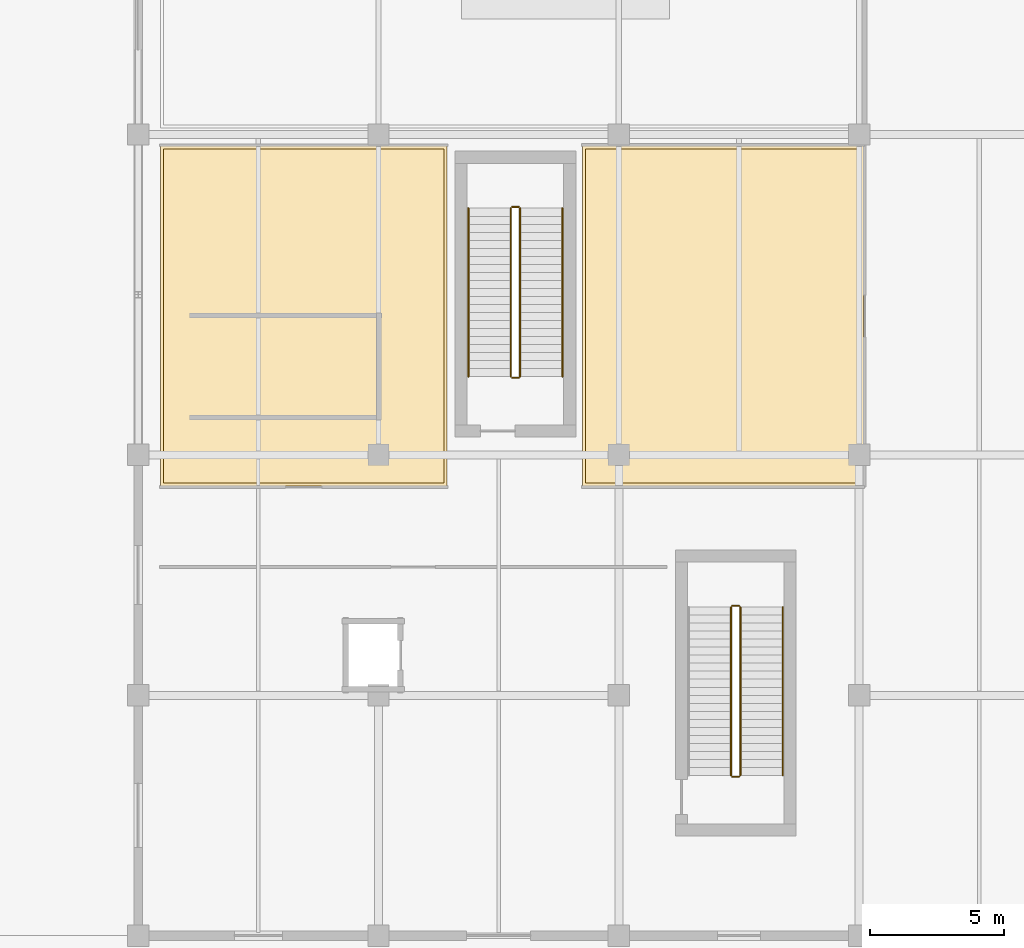
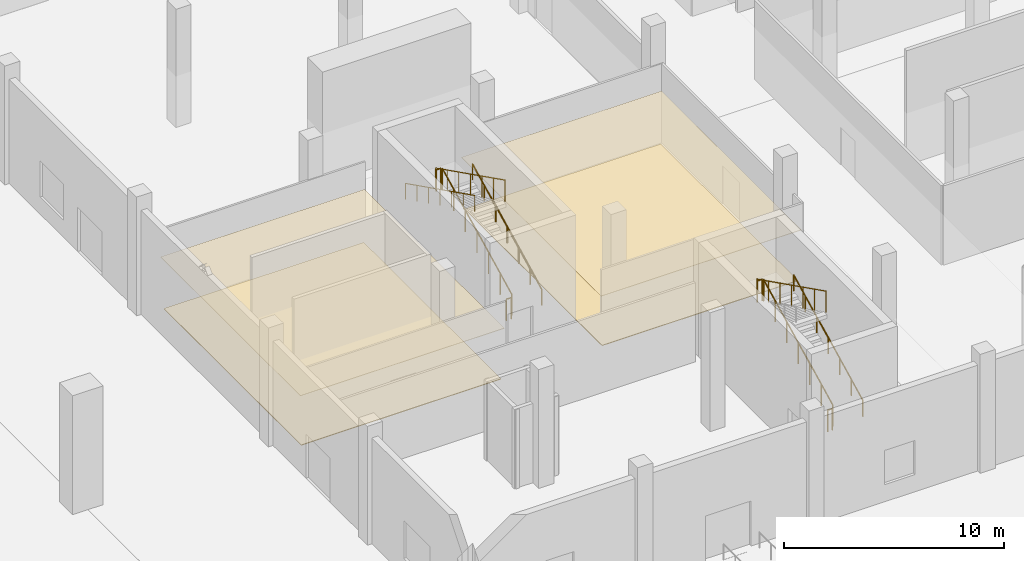
# One storey, part 57 of 65: 11 railings, 4 coverings.
"""IFC4 building model written with IfcOpenShell, lengths in metres."""

from ifc_helpers import new_model, si_unit, direction, frame, origin, origin_2d, place, context, subcontext, project, spatial, polyline, circle, outline, extrude, material, layer, layer_set, type_object, element, save


model = new_model("IFC4")

# Units and contexts
model_context = context("Model", 3, precision=1e-05, world=origin(), true_north=direction((0.0, 1.0)))
body_context = subcontext(model_context, "Body", "Model", "MODEL_VIEW")
ifc_project = project(units=[si_unit("LENGTHUNIT", "METRE"), si_unit("AREAUNIT", "SQUARE_METRE"), si_unit("VOLUMEUNIT", "CUBIC_METRE"), si_unit("PLANEANGLEUNIT", "RADIAN"), si_unit("MASSUNIT", "GRAM", prefix="KILO")], contexts=[model_context])

# Site, building, storey
site_placement = place(None, origin())
site = spatial("IfcSite", under=ifc_project, at=site_placement, CompositionType="ELEMENT")
building_placement = place(site_placement, origin())
building = spatial("IfcBuilding", under=site, at=building_placement, Name="Chuanluo Vaults Station", CompositionType="ELEMENT")
storey_placement = place(building_placement, origin())
storey = spatial("IfcBuildingStorey", under=building, at=storey_placement, Name="L00", CompositionType="ELEMENT", Elevation=0.0)

# Coverings
ifc_material_1 = material(Name="Acoustic mineral-fibre tile")
ifc_layer_1 = layer(ifc_material_1, 0.02490234375)
ifc_layer_set_1 = layer_set([ifc_layer_1], Name="Acoustic mineral-fibre tile")
covering_type_1 = type_object("IfcCoveringType", Name="COV-CEIL-TILE", PredefinedType="CEILING", material=ifc_layer_set_1)
covering_1_placement = place(storey_placement, frame((0.0, 0.0, 2.85009765625)))
element("IfcCovering", 1, at=covering_1_placement, inside=storey, type_object=covering_type_1, Name="L00-15 suspended acoustic ceiling", PredefinedType="CEILING", context=body_context, shape_type="SweptSolid", body=[
    extrude(outline(polyline([(152.639892578125, 16.840087890625), (163.159912109375, 16.840087890625), (163.159912109375, 29.56005859375), (152.639892578125, 29.56005859375), (152.639892578125, 16.840087890625)])), origin(), (0.0, 0.0, 1.0), 0.02490234375),
])
covering_2_placement = place(storey_placement, frame((0.0, 0.0, 2.85009765625)))
element("IfcCovering", 2, at=covering_2_placement, inside=storey, type_object=covering_type_1, Name="L00-15B suspended acoustic ceiling", PredefinedType="CEILING", context=body_context, shape_type="SweptSolid", body=[
    extrude(outline(polyline([(136.840087890625, 16.840087890625), (147.56005859375, 16.840087890625), (147.56005859375, 29.56005859375), (136.840087890625, 29.56005859375), (136.840087890625, 16.840087890625)])), origin(), (0.0, 0.0, 1.0), 0.02490234375),
])
ifc_material_2 = material(Name="Granite stone flooring", Category="masonry")
ifc_layer_2 = layer(ifc_material_2, 0.034912109375)
ifc_layer_set_2 = layer_set([ifc_layer_2], Name="Granite stone flooring")
covering_type_2 = type_object("IfcCoveringType", Name="COV-FLOR-GRAN", PredefinedType="FLOORING", material=ifc_layer_set_2)
covering_3_placement = place(storey_placement, origin())
element("IfcCovering", 3, at=covering_3_placement, inside=storey, type_object=covering_type_2, Name="L00-15 granite floor finish", PredefinedType="FLOORING", context=body_context, shape_type="SweptSolid", body=[
    extrude(outline(polyline([(152.75, 16.949951171875), (163.050048828125, 16.949951171875), (163.050048828125, 29.449951171875), (152.75, 29.449951171875), (152.75, 16.949951171875)])), origin(), (0.0, 0.0, 1.0), 0.034912109375),
])
covering_4_placement = place(storey_placement, origin())
element("IfcCovering", 4, at=covering_4_placement, inside=storey, type_object=covering_type_2, Name="L00-15B granite floor finish", PredefinedType="FLOORING", context=body_context, shape_type="SweptSolid", body=[
    extrude(outline(polyline([(136.949951171875, 16.949951171875), (147.449951171875, 16.949951171875), (147.449951171875, 29.449951171875), (136.949951171875, 29.449951171875), (136.949951171875, 16.949951171875)])), origin(), (0.0, 0.0, 1.0), 0.034912109375),
])

# Railings
ifc_material_3 = material(Name="Tempered laminated balustrade glass", Category="glass")
railing_type_1 = type_object("IfcRailingType", Name="RLG-GUARD-1200", PredefinedType="BALUSTRADE", material=ifc_material_3)
railing_1_placement = place(storey_placement, frame((150.302490234375, 20.9375, 0.14990234375)))
element("IfcRailing", 5, at=railing_1_placement, inside=storey, type_object=railing_type_1, Name="L00 ST-04 stair guard 1", PredefinedType="BALUSTRADE", context=body_context, shape_type="SweptSolid", body=[
    extrude(circle(Radius=0.02392578125, at=origin_2d()), frame((0.0, 0.0, 1.17578125), z_axis=(0.0, 0.894420258746, 0.44722745974), x_axis=(-1.0, 0.0, 0.0)), (0.0, 0.0, 1.0), 7.043701171875),
    extrude(circle(Radius=0.02099609375, at=origin_2d()), origin(), (0.0, 0.0, 1.0), 1.15185546875),
    extrude(circle(Radius=0.02099609375, at=origin_2d()), frame((0.0, 1.050048828125, 0.52490234375)), (0.0, 0.0, 1.0), 1.15185546875),
    extrude(circle(Radius=0.02099609375, at=origin_2d()), frame((0.0, 2.10009765625, 1.050048828125)), (0.0, 0.0, 1.0), 1.15185546875),
    extrude(circle(Radius=0.02099609375, at=origin_2d()), frame((0.0, 3.14990234375, 1.5751953125)), (0.0, 0.0, 1.0), 1.15185546875),
    extrude(circle(Radius=0.02099609375, at=origin_2d()), frame((0.0, 4.199951171875, 2.10009765625)), (0.0, 0.0, 1.0), 1.15185546875),
    extrude(circle(Radius=0.02099609375, at=origin_2d()), frame((0.0, 5.25, 2.625)), (0.0, 0.0, 1.0), 1.15185546875),
    extrude(circle(Radius=0.02099609375, at=origin_2d()), frame((0.0, 6.300048828125, 3.150146484375)), (0.0, 0.0, 1.0), 1.15185546875),
])
railing_2_placement = place(storey_placement, frame((150.25244140625, 27.28759765625, 3.300048828125)))
element("IfcRailing", 6, at=railing_2_placement, inside=storey, type_object=railing_type_1, Name="L00 ST-04 stair guard 2", PredefinedType="BALUSTRADE", context=body_context, shape_type="SweptSolid", body=[
    extrude(circle(Radius=0.02392578125, at=origin_2d()), frame((0.0, 0.0, 1.17578125), z_axis=(-1.0, 0.0, 0.0), x_axis=(0.0, -1.0, 0.0)), (0.0, 0.0, 1.0), 0.25),
    extrude(circle(Radius=0.02099609375, at=origin_2d()), origin(), (0.0, 0.0, 1.0), 1.15185546875),
    extrude(circle(Radius=0.02099609375, at=origin_2d()), frame((-0.25, 0.0, 0.0)), (0.0, 0.0, 1.0), 1.15185546875),
])
railing_3_placement = place(storey_placement, frame((149.952392578125, 27.237548828125, 3.449951171875)))
element("IfcRailing", 7, at=railing_3_placement, inside=storey, type_object=railing_type_1, Name="L00 ST-04 stair guard 3", PredefinedType="BALUSTRADE", context=body_context, shape_type="SweptSolid", body=[
    extrude(circle(Radius=0.02392578125, at=origin_2d()), frame((0.0, 0.0, 1.17578125), z_axis=(0.0, -0.894420258746, 0.44722745974), x_axis=(1.0, 0.0, 0.0)), (0.0, 0.0, 1.0), 7.043701171875),
    extrude(circle(Radius=0.02099609375, at=origin_2d()), origin(), (0.0, 0.0, 1.0), 1.15185546875),
    extrude(circle(Radius=0.02099609375, at=origin_2d()), frame((0.0, -1.050048828125, 0.52490234375)), (0.0, 0.0, 1.0), 1.15185546875),
    extrude(circle(Radius=0.02099609375, at=origin_2d()), frame((0.0, -2.10009765625, 1.050048828125)), (0.0, 0.0, 1.0), 1.15185546875),
    extrude(circle(Radius=0.02099609375, at=origin_2d()), frame((0.0, -3.14990234375, 1.5751953125)), (0.0, 0.0, 1.0), 1.15185546875),
    extrude(circle(Radius=0.02099609375, at=origin_2d()), frame((0.0, -4.199951171875, 2.10009765625)), (0.0, 0.0, 1.0), 1.15185546875),
    extrude(circle(Radius=0.02099609375, at=origin_2d()), frame((0.0, -5.25, 2.625)), (0.0, 0.0, 1.0), 1.15185546875),
    extrude(circle(Radius=0.02099609375, at=origin_2d()), frame((0.0, -6.300048828125, 3.150146484375)), (0.0, 0.0, 1.0), 1.15185546875),
])
railing_4_placement = place(storey_placement, frame((150.25244140625, 20.887451171875, 0.0)))
element("IfcRailing", 8, at=railing_4_placement, inside=storey, type_object=railing_type_1, Name="L00 ST-04 stair guard 4", PredefinedType="BALUSTRADE", context=body_context, shape_type="SweptSolid", body=[
    extrude(circle(Radius=0.02392578125, at=origin_2d()), frame((0.0, 0.0, 1.17578125), z_axis=(-1.0, 0.0, 0.0), x_axis=(0.0, -1.0, 0.0)), (0.0, 0.0, 1.0), 0.25),
    extrude(circle(Radius=0.02099609375, at=origin_2d()), origin(), (0.0, 0.0, 1.0), 1.15185546875),
    extrude(circle(Radius=0.02099609375, at=origin_2d()), frame((-0.25, 0.0, 0.0)), (0.0, 0.0, 1.0), 1.15185546875),
])
railing_5_placement = place(storey_placement, frame((158.552490234375, 6.0, 0.14990234375)))
element("IfcRailing", 9, at=railing_5_placement, inside=storey, type_object=railing_type_1, Name="L00 ST-05 stair guard 1", PredefinedType="BALUSTRADE", context=body_context, shape_type="SweptSolid", body=[
    extrude(circle(Radius=0.02392578125, at=origin_2d()), frame((0.0, 0.0, 1.17578125), z_axis=(0.0, 0.894420258746, 0.44722745974), x_axis=(-1.0, 0.0, 0.0)), (0.0, 0.0, 1.0), 7.043701171875),
    extrude(circle(Radius=0.02099609375, at=origin_2d()), origin(), (0.0, 0.0, 1.0), 1.15185546875),
    extrude(circle(Radius=0.02099609375, at=origin_2d()), frame((0.0, 1.050048828125, 0.52490234375)), (0.0, 0.0, 1.0), 1.15185546875),
    extrude(circle(Radius=0.02099609375, at=origin_2d()), frame((0.0, 2.10009765625, 1.050048828125)), (0.0, 0.0, 1.0), 1.15185546875),
    extrude(circle(Radius=0.02099609375, at=origin_2d()), frame((0.0, 3.14990234375, 1.5751953125)), (0.0, 0.0, 1.0), 1.15185546875),
    extrude(circle(Radius=0.02099609375, at=origin_2d()), frame((0.0, 4.199951171875, 2.10009765625)), (0.0, 0.0, 1.0), 1.15185546875),
    extrude(circle(Radius=0.02099609375, at=origin_2d()), frame((0.0, 5.25, 2.625)), (0.0, 0.0, 1.0), 1.15185546875),
    extrude(circle(Radius=0.02099609375, at=origin_2d()), frame((0.0, 6.300048828125, 3.150146484375)), (0.0, 0.0, 1.0), 1.15185546875),
])
railing_6_placement = place(storey_placement, frame((158.50244140625, 12.35009765625, 3.300048828125)))
element("IfcRailing", 10, at=railing_6_placement, inside=storey, type_object=railing_type_1, Name="L00 ST-05 stair guard 2", PredefinedType="BALUSTRADE", context=body_context, shape_type="SweptSolid", body=[
    extrude(circle(Radius=0.02392578125, at=origin_2d()), frame((0.0, 0.0, 1.17578125), z_axis=(-1.0, 0.0, 0.0), x_axis=(0.0, -1.0, 0.0)), (0.0, 0.0, 1.0), 0.25),
    extrude(circle(Radius=0.02099609375, at=origin_2d()), origin(), (0.0, 0.0, 1.0), 1.15185546875),
    extrude(circle(Radius=0.02099609375, at=origin_2d()), frame((-0.25, 0.0, 0.0)), (0.0, 0.0, 1.0), 1.15185546875),
])
railing_7_placement = place(storey_placement, frame((158.202392578125, 12.300048828125, 3.449951171875)))
element("IfcRailing", 11, at=railing_7_placement, inside=storey, type_object=railing_type_1, Name="L00 ST-05 stair guard 3", PredefinedType="BALUSTRADE", context=body_context, shape_type="SweptSolid", body=[
    extrude(circle(Radius=0.02392578125, at=origin_2d()), frame((0.0, 0.0, 1.17578125), z_axis=(0.0, -0.894420258746, 0.44722745974), x_axis=(1.0, 0.0, 0.0)), (0.0, 0.0, 1.0), 7.043701171875),
    extrude(circle(Radius=0.02099609375, at=origin_2d()), origin(), (0.0, 0.0, 1.0), 1.15185546875),
    extrude(circle(Radius=0.02099609375, at=origin_2d()), frame((0.0, -1.050048828125, 0.52490234375)), (0.0, 0.0, 1.0), 1.15185546875),
    extrude(circle(Radius=0.02099609375, at=origin_2d()), frame((0.0, -2.10009765625, 1.050048828125)), (0.0, 0.0, 1.0), 1.15185546875),
    extrude(circle(Radius=0.02099609375, at=origin_2d()), frame((0.0, -3.14990234375, 1.5751953125)), (0.0, 0.0, 1.0), 1.15185546875),
    extrude(circle(Radius=0.02099609375, at=origin_2d()), frame((0.0, -4.199951171875, 2.10009765625)), (0.0, 0.0, 1.0), 1.15185546875),
    extrude(circle(Radius=0.02099609375, at=origin_2d()), frame((0.0, -5.25, 2.625)), (0.0, 0.0, 1.0), 1.15185546875),
    extrude(circle(Radius=0.02099609375, at=origin_2d()), frame((0.0, -6.300048828125, 3.150146484375)), (0.0, 0.0, 1.0), 1.15185546875),
])
railing_8_placement = place(storey_placement, frame((158.50244140625, 5.949951171875, 0.0)))
element("IfcRailing", 12, at=railing_8_placement, inside=storey, type_object=railing_type_1, Name="L00 ST-05 stair guard 4", PredefinedType="BALUSTRADE", context=body_context, shape_type="SweptSolid", body=[
    extrude(circle(Radius=0.02392578125, at=origin_2d()), frame((0.0, 0.0, 1.17578125), z_axis=(-1.0, 0.0, 0.0), x_axis=(0.0, -1.0, 0.0)), (0.0, 0.0, 1.0), 0.25),
    extrude(circle(Radius=0.02099609375, at=origin_2d()), origin(), (0.0, 0.0, 1.0), 1.15185546875),
    extrude(circle(Radius=0.02099609375, at=origin_2d()), frame((-0.25, 0.0, 0.0)), (0.0, 0.0, 1.0), 1.15185546875),
])
ifc_material_4 = material(Name="Brushed stainless steel 304", Category="steel")
railing_type_2 = type_object("IfcRailingType", Name="RLG-HAND-900", PredefinedType="HANDRAIL", material=ifc_material_4)
railing_9_placement = place(storey_placement, frame((151.887451171875, 20.9375, 0.14990234375)))
element("IfcRailing", 13, at=railing_9_placement, inside=storey, type_object=railing_type_2, Name="L00 ST-04 stair handrail 1", PredefinedType="HANDRAIL", context=body_context, shape_type="SweptSolid", body=[
    extrude(circle(Radius=0.02392578125, at=origin_2d()), frame((0.0, 0.0, 0.8759765625), z_axis=(0.0, 0.894420258746, 0.44722745974), x_axis=(-1.0, 0.0, 0.0)), (0.0, 0.0, 1.0), 7.043701171875),
    extrude(circle(Radius=0.02099609375, at=origin_2d()), origin(), (0.0, 0.0, 1.0), 0.851806640625),
    extrude(circle(Radius=0.02099609375, at=origin_2d()), frame((0.0, 1.050048828125, 0.52490234375)), (0.0, 0.0, 1.0), 0.851806640625),
    extrude(circle(Radius=0.02099609375, at=origin_2d()), frame((0.0, 2.10009765625, 1.050048828125)), (0.0, 0.0, 1.0), 0.851806640625),
    extrude(circle(Radius=0.02099609375, at=origin_2d()), frame((0.0, 3.14990234375, 1.5751953125)), (0.0, 0.0, 1.0), 0.851806640625),
    extrude(circle(Radius=0.02099609375, at=origin_2d()), frame((0.0, 4.199951171875, 2.10009765625)), (0.0, 0.0, 1.0), 0.851806640625),
    extrude(circle(Radius=0.02099609375, at=origin_2d()), frame((0.0, 5.25, 2.625)), (0.0, 0.0, 1.0), 0.851806640625),
    extrude(circle(Radius=0.02099609375, at=origin_2d()), frame((0.0, 6.300048828125, 3.150146484375)), (0.0, 0.0, 1.0), 0.851806640625),
])
railing_10_placement = place(storey_placement, frame((148.367431640625, 27.237548828125, 3.449951171875)))
element("IfcRailing", 14, at=railing_10_placement, inside=storey, type_object=railing_type_2, Name="L00 ST-04 stair handrail 2", PredefinedType="HANDRAIL", context=body_context, shape_type="SweptSolid", body=[
    extrude(circle(Radius=0.02392578125, at=origin_2d()), frame((0.0, 0.0, 0.8759765625), z_axis=(0.0, -0.894420258746, 0.44722745974), x_axis=(1.0, 0.0, 0.0)), (0.0, 0.0, 1.0), 7.043701171875),
    extrude(circle(Radius=0.02099609375, at=origin_2d()), origin(), (0.0, 0.0, 1.0), 0.851806640625),
    extrude(circle(Radius=0.02099609375, at=origin_2d()), frame((0.0, -1.050048828125, 0.52490234375)), (0.0, 0.0, 1.0), 0.851806640625),
    extrude(circle(Radius=0.02099609375, at=origin_2d()), frame((0.0, -2.10009765625, 1.050048828125)), (0.0, 0.0, 1.0), 0.851806640625),
    extrude(circle(Radius=0.02099609375, at=origin_2d()), frame((0.0, -3.14990234375, 1.5751953125)), (0.0, 0.0, 1.0), 0.851806640625),
    extrude(circle(Radius=0.02099609375, at=origin_2d()), frame((0.0, -4.199951171875, 2.10009765625)), (0.0, 0.0, 1.0), 0.851806640625),
    extrude(circle(Radius=0.02099609375, at=origin_2d()), frame((0.0, -5.25, 2.625)), (0.0, 0.0, 1.0), 0.851806640625),
    extrude(circle(Radius=0.02099609375, at=origin_2d()), frame((0.0, -6.300048828125, 3.150146484375)), (0.0, 0.0, 1.0), 0.851806640625),
])
railing_11_placement = place(storey_placement, frame((160.137451171875, 6.0, 0.14990234375)))
element("IfcRailing", 15, at=railing_11_placement, inside=storey, type_object=railing_type_2, Name="L00 ST-05 stair handrail 1", PredefinedType="HANDRAIL", context=body_context, shape_type="SweptSolid", body=[
    extrude(circle(Radius=0.02392578125, at=origin_2d()), frame((0.0, 0.0, 0.8759765625), z_axis=(0.0, 0.894420258746, 0.44722745974), x_axis=(-1.0, 0.0, 0.0)), (0.0, 0.0, 1.0), 7.043701171875),
    extrude(circle(Radius=0.02099609375, at=origin_2d()), origin(), (0.0, 0.0, 1.0), 0.851806640625),
    extrude(circle(Radius=0.02099609375, at=origin_2d()), frame((0.0, 1.050048828125, 0.52490234375)), (0.0, 0.0, 1.0), 0.851806640625),
    extrude(circle(Radius=0.02099609375, at=origin_2d()), frame((0.0, 2.10009765625, 1.050048828125)), (0.0, 0.0, 1.0), 0.851806640625),
    extrude(circle(Radius=0.02099609375, at=origin_2d()), frame((0.0, 3.14990234375, 1.5751953125)), (0.0, 0.0, 1.0), 0.851806640625),
    extrude(circle(Radius=0.02099609375, at=origin_2d()), frame((0.0, 4.199951171875, 2.10009765625)), (0.0, 0.0, 1.0), 0.851806640625),
    extrude(circle(Radius=0.02099609375, at=origin_2d()), frame((0.0, 5.25, 2.625)), (0.0, 0.0, 1.0), 0.851806640625),
    extrude(circle(Radius=0.02099609375, at=origin_2d()), frame((0.0, 6.300048828125, 3.150146484375)), (0.0, 0.0, 1.0), 0.851806640625),
])

save(model, "model.ifc")
